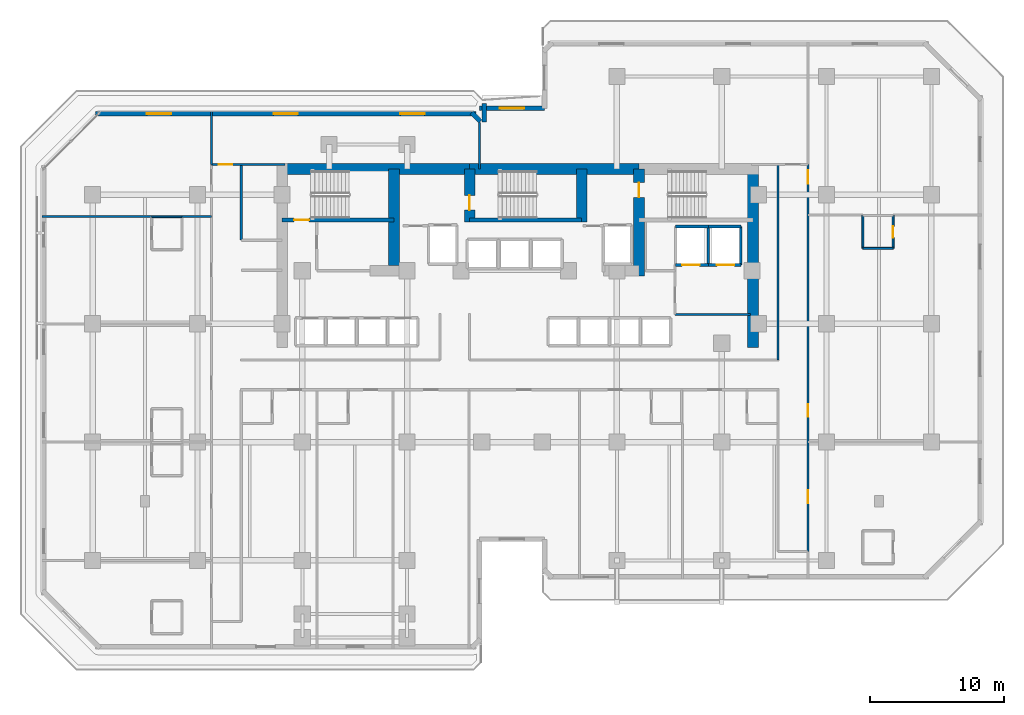
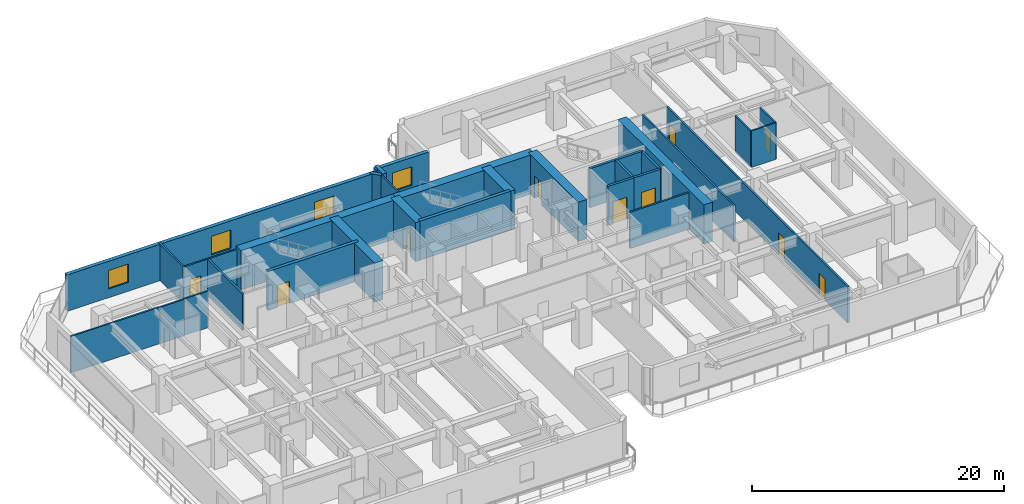
# One storey, part 9 of 12: 32 walls, 10 doors, 4 windows, 14 openings.
"""IFC4 building model written with IfcOpenShell, lengths in metres."""

from ifc_helpers import new_model, si_unit, direction, frame, frame_2d, origin, place, context, subcontext, project, spatial, rectangle, extrude, material, layer, layer_set, type_object, element, fill, save


model = new_model("IFC4")

# Units and contexts
model_context = context("Model", 3, precision=1e-05, world=origin(), true_north=direction((0.0, 1.0)))
body_context = subcontext(model_context, "Body", "Model", "MODEL_VIEW")
ifc_project = project(units=[si_unit("LENGTHUNIT", "METRE"), si_unit("AREAUNIT", "SQUARE_METRE"), si_unit("VOLUMEUNIT", "CUBIC_METRE"), si_unit("PLANEANGLEUNIT", "RADIAN"), si_unit("MASSUNIT", "GRAM", prefix="KILO")], contexts=[model_context])

# Site, building, storey
site_placement = place(None, origin())
site = spatial("IfcSite", under=ifc_project, at=site_placement, CompositionType="ELEMENT")
building_placement = place(site_placement, origin())
building = spatial("IfcBuilding", under=site, at=building_placement, Name="Kestravale Grand Hotel", CompositionType="ELEMENT")
storey_placement = place(building_placement, frame((0.0, 0.0, 80.39990234375)))
storey = spatial("IfcBuildingStorey", under=building, at=storey_placement, Name="L19", CompositionType="ELEMENT", Elevation=80.39990234375)

# Walls
ifc_material_1 = material(Name="Concrete f'c 60 MPa", Category="concrete")
ifc_layer_1 = layer(ifc_material_1, 0.800048828125)
ifc_layer_set_1 = layer_set([ifc_layer_1], Name="EW-CORE-800")
wall_type_1 = type_object("IfcWallType", Name="EW-CORE-800", PredefinedType="SHEAR", material=ifc_layer_set_1)
wall_1_placement = place(storey_placement, frame((21.5, 40.320068359375, 0.0), z_axis=(0.0, 0.0, 1.0), x_axis=(1.0, 0.0, 0.0)))
element("IfcWall", 1, at=wall_1_placement, inside=storey, type_object=wall_type_1, Name="L19 core shear wall N1", PredefinedType="SHEAR", context=body_context, shape_type="SweptSolid", body=[
    extrude(rectangle(XDim=14.35009765625, YDim=0.800048828125, at=frame_2d((7.175048828125, 0.0))), origin(), (0.0, 0.0, 1.0), 3.800048828125),
])
wall_2_placement = place(storey_placement, frame((35.85009765625, 40.320068359375, 0.0), z_axis=(0.0, 0.0, 1.0), x_axis=(1.0, 0.0, 0.0)))
element("IfcWall", 2, at=wall_2_placement, inside=storey, type_object=wall_type_1, Name="L19 core shear wall N2", PredefinedType="SHEAR", context=body_context, shape_type="SweptSolid", body=[
    extrude(rectangle(XDim=12.599853515625, YDim=0.800048828125, at=frame_2d((6.2998046875, 0.0))), origin(), (0.0, 0.0, 1.0), 3.800048828125),
])
wall_3_placement = place(storey_placement, frame((56.919921875, 27.050048828125, 0.0), z_axis=(0.0, 0.0, 1.0), x_axis=(0.0, 1.0, 0.0)))
element("IfcWall", 3, at=wall_3_placement, inside=storey, type_object=wall_type_1, Name="L19 core shear wall E1", PredefinedType="SHEAR", context=body_context, shape_type="SweptSolid", body=[
    extrude(rectangle(XDim=13.669921875, YDim=0.800048828125, at=frame_2d((6.8349609375, 0.0))), origin(), (0.0, 0.0, 1.0), 3.800048828125),
])
wall_4_placement = place(storey_placement, frame((30.219970703125, 33.14990234375, 0.0), z_axis=(0.0, 0.0, 1.0), x_axis=(0.0, 1.0, 0.0)))
element("IfcWall", 4, at=wall_4_placement, inside=storey, type_object=wall_type_1, Name="L19 core shear wall X1", PredefinedType="SHEAR", context=body_context, shape_type="SweptSolid", body=[
    extrude(rectangle(XDim=7.170166015625, YDim=0.800048828125, at=frame_2d((3.5849609375, 0.0))), origin(), (0.0, 0.0, 1.0), 3.800048828125),
])

# Wall, opening, door
wall_5_placement = place(storey_placement, frame((35.85009765625, 36.3701171875, 0.0), z_axis=(0.0, 0.0, 1.0), x_axis=(0.0, 1.0, 0.0)))
wall_5 = element("IfcWall", 5, at=wall_5_placement, inside=storey, type_object=wall_type_1, Name="L19 core shear wall X2", PredefinedType="SHEAR", context=body_context, shape_type="SweptSolid", body=[
    extrude(rectangle(XDim=3.949951171875, YDim=0.800048828125, at=frame_2d((1.97509765625, 0.0))), origin(), (0.0, 0.0, 1.0), 3.800048828125),
])
opening_1_placement = place(wall_5_placement, frame((0.8798828125, 0.0, 0.0)))
opening_1 = element("IfcOpeningElement", 6, at=opening_1_placement, cuts=wall_5, Name="Opening D-ST-1100", PredefinedType="OPENING", context=body_context, shape_type="SweptSolid", body=[
    extrude(rectangle(XDim=1.10009765625, YDim=2.14990234375, at=frame_2d((0.550048828125, 1.074951171875))), frame((0.0, 0.409912109375, 0.0), z_axis=(0.0, -1.0, 0.0), x_axis=(1.0, 0.0, 0.0)), (0.0, 0.0, 1.0), 0.820068359375),
])
ifc_material_2 = material(Name="Galvanised 90-minute fire-rated steel stair door", Category="steel")
door_type_1 = type_object("IfcDoorType", Name="D-ST-1100", OperationType="NOTDEFINED", PredefinedType="DOOR", material=ifc_material_2)
door_1_placement = place(opening_1_placement, origin())
door_1 = element("IfcDoor", 7, at=door_1_placement, inside=storey, type_object=door_type_1, Name="L19 Stair ST-2 FSAE fire door", OperationType="SINGLE_SWING_RIGHT", OverallHeight=2.14990234375, OverallWidth=1.10009765625, PredefinedType="DOOR", context=body_context, shape_type="SweptSolid", body=[
    extrude(rectangle(XDim=1.10009765625, YDim=2.14990234375, at=frame_2d((0.550048828125, 1.074951171875))), frame((0.0, 0.02490234375, 0.0), z_axis=(0.0, -1.0, 0.0), x_axis=(1.0, 0.0, 0.0)), (0.0, 0.0, 1.0), 0.050048828125),
])
fill(opening_1, door_1)

# Wall
wall_6_placement = place(storey_placement, frame((44.179931640625, 36.3701171875, 0.0), z_axis=(0.0, 0.0, 1.0), x_axis=(0.0, 1.0, 0.0)))
element("IfcWall", 8, at=wall_6_placement, inside=storey, type_object=wall_type_1, Name="L19 core shear wall X3", PredefinedType="SHEAR", context=body_context, shape_type="SweptSolid", body=[
    extrude(rectangle(XDim=3.949951171875, YDim=0.800048828125, at=frame_2d((1.97509765625, 0.0))), origin(), (0.0, 0.0, 1.0), 3.800048828125),
])

# Wall, opening, door
wall_7_placement = place(storey_placement, frame((48.449951171875, 32.35009765625, 0.0), z_axis=(0.0, 0.0, 1.0), x_axis=(0.0, 1.0, 0.0)))
wall_7 = element("IfcWall", 9, at=wall_7_placement, inside=storey, type_object=wall_type_1, Name="L19 core shear wall X4", PredefinedType="SHEAR", context=body_context, shape_type="SweptSolid", body=[
    extrude(rectangle(XDim=7.969970703125, YDim=0.800048828125, at=frame_2d((3.98486328125, 0.0))), origin(), (0.0, 0.0, 1.0), 3.800048828125),
])
opening_2_placement = place(wall_7_placement, frame((5.85009765625, 0.0, 0.0)))
opening_2 = element("IfcOpeningElement", 10, at=opening_2_placement, cuts=wall_7, Name="Opening D-ST-1100", PredefinedType="OPENING", context=body_context, shape_type="SweptSolid", body=[
    extrude(rectangle(XDim=1.10009765625, YDim=2.14990234375, at=frame_2d((0.550048828125, 1.074951171875))), frame((0.0, 0.409912109375, 0.0), z_axis=(0.0, -1.0, 0.0), x_axis=(1.0, 0.0, 0.0)), (0.0, 0.0, 1.0), 0.820068359375),
])
door_2_placement = place(opening_2_placement, origin())
door_2 = element("IfcDoor", 11, at=door_2_placement, inside=storey, type_object=door_type_1, Name="L19 Stair ST-3 FSAE fire door", OperationType="SINGLE_SWING_RIGHT", OverallHeight=2.14990234375, OverallWidth=1.10009765625, PredefinedType="DOOR", context=body_context, shape_type="SweptSolid", body=[
    extrude(rectangle(XDim=1.10009765625, YDim=2.14990234375, at=frame_2d((0.550048828125, 1.074951171875))), frame((0.0, 0.02490234375, 0.0), z_axis=(0.0, -1.0, 0.0), x_axis=(1.0, 0.0, 0.0)), (0.0, 0.0, 1.0), 0.050048828125),
])
fill(opening_2, door_2)

# Wall, opening, window
ifc_material_3 = material(Name="Precast concrete f'c 45 MPa", Category="concrete")
ifc_layer_2 = layer(ifc_material_3, 0.340087890625)
ifc_layer_set_2 = layer_set([ifc_layer_2], Name="EW-PREC-340")
wall_type_2 = type_object("IfcWallType", Name="EW-PREC-340", PredefinedType="SOLIDWALL", material=ifc_layer_set_2)
wall_8_placement = place(storey_placement, frame((41.419921875, 44.830078125, 0.0), z_axis=(0.0, 0.0, 1.0), x_axis=(-1.0, 0.0, 0.0)))
wall_8 = element("IfcWall", 12, at=wall_8_placement, inside=storey, type_object=wall_type_2, Name="L19 fluted precast facade wall 14", PredefinedType="SOLIDWALL", context=body_context, shape_type="SweptSolid", body=[
    extrude(rectangle(XDim=4.83984375, YDim=0.340087890625, at=frame_2d((2.419921875, 0.0))), origin(), (0.0, 0.0, 1.0), 3.5400390625),
])
opening_3_placement = place(wall_8_placement, frame((1.52001953125, 0.0, 0.85009765625)))
opening_3 = element("IfcOpeningElement", 13, at=opening_3_placement, cuts=wall_8, Name="Opening W-GUEST-1800", PredefinedType="OPENING", context=body_context, shape_type="SweptSolid", body=[
    extrude(rectangle(XDim=1.800048828125, YDim=1.800048828125, at=frame_2d((0.89990234375, 0.89990234375))), frame((0.0, 0.179931640625, 0.0), z_axis=(0.0, -1.0, 0.0), x_axis=(1.0, 0.0, 0.0)), (0.0, 0.0, 1.0), 0.360107421875),
])
ifc_material_4 = material(Name="Insulated low-E double glazing in aluminium frame", Category="aluminium")
window_type = type_object("IfcWindowType", Name="W-GUEST-1800", PartitioningType="DOUBLE_PANEL_VERTICAL", PredefinedType="WINDOW", material=ifc_material_4)
window_1_placement = place(opening_3_placement, origin())
window_1 = element("IfcWindow", 14, at=window_1_placement, inside=storey, type_object=window_type, Name="L19 exterior window 14.1", OverallHeight=1.800048828125, OverallWidth=1.800048828125, PartitioningType="SINGLE_PANEL", PredefinedType="WINDOW", context=body_context, shape_type="SweptSolid", body=[
    extrude(rectangle(XDim=1.800048828125, YDim=1.800048828125, at=frame_2d((0.89990234375, 0.89990234375))), frame((0.0, 0.030029296875, 0.0), z_axis=(0.0, -1.0, 0.0), x_axis=(1.0, 0.0, 0.0)), (0.0, 0.0, 1.0), 0.06005859375),
])
fill(opening_3, window_1)

# Walls
wall_9_placement = place(storey_placement, frame((36.919921875, 45.169921875, 0.0), z_axis=(0.0, 0.0, 1.0), x_axis=(0.0, -1.0, 0.0)))
element("IfcWall", 15, at=wall_9_placement, inside=storey, type_object=wall_type_2, Name="L19 fluted precast facade wall 15", PredefinedType="SOLIDWALL", context=body_context, shape_type="SweptSolid", body=[
    extrude(rectangle(XDim=1.33984375, YDim=0.340087890625, at=frame_2d((0.669921875, 0.0))), origin(), (0.0, 0.0, 1.0), 3.5400390625),
])
wall_10_placement = place(storey_placement, frame((36.658203125, 43.8515625, 0.0), z_axis=(0.0, 0.0, 1.0), x_axis=(-0.707238225886, 0.706975312048, 0.0)))
element("IfcWall", 16, at=wall_10_placement, inside=storey, type_object=wall_type_2, Name="L19 fluted precast facade wall 16", PredefinedType="SOLIDWALL", context=body_context, shape_type="SweptSolid", body=[
    extrude(rectangle(XDim=0.9287109375, YDim=0.340087890625, at=frame_2d((0.46435546875, 0.0))), origin(), (0.0, 0.0, 1.0), 3.5400390625),
])

# Wall, openings, windows
wall_11_placement = place(storey_placement, frame((36.320068359375, 44.429931640625, 0.0), z_axis=(0.0, 0.0, 1.0), x_axis=(-1.0, 0.0, 0.0)))
wall_11 = element("IfcWall", 17, at=wall_11_placement, inside=storey, type_object=wall_type_2, Name="L19 fluted precast facade wall 17", PredefinedType="SOLIDWALL", context=body_context, shape_type="SweptSolid", body=[
    extrude(rectangle(XDim=28.2900390625, YDim=0.340087890625, at=frame_2d((14.14501953125, 0.0))), origin(), (0.0, 0.0, 1.0), 3.5400390625),
])
opening_4_placement = place(wall_11_placement, frame((3.81494140625, 0.0, 0.85009765625)))
opening_4 = element("IfcOpeningElement", 18, at=opening_4_placement, cuts=wall_11, Name="Opening W-GUEST-1800", PredefinedType="OPENING", context=body_context, shape_type="SweptSolid", body=[
    extrude(rectangle(XDim=1.800048828125, YDim=1.800048828125, at=frame_2d((0.89990234375, 0.89990234375))), frame((0.0, 0.179931640625, 0.0), z_axis=(0.0, -1.0, 0.0), x_axis=(1.0, 0.0, 0.0)), (0.0, 0.0, 1.0), 0.360107421875),
])
opening_5_placement = place(wall_11_placement, frame((13.2451171875, 0.0, 0.85009765625)))
opening_5 = element("IfcOpeningElement", 19, at=opening_5_placement, cuts=wall_11, Name="Opening W-GUEST-1800", PredefinedType="OPENING", context=body_context, shape_type="SweptSolid", body=[
    extrude(rectangle(XDim=1.800048828125, YDim=1.800048828125, at=frame_2d((0.89990234375, 0.89990234375))), frame((0.0, 0.179931640625, 0.0), z_axis=(0.0, -1.0, 0.0), x_axis=(1.0, 0.0, 0.0)), (0.0, 0.0, 1.0), 0.360107421875),
])
opening_6_placement = place(wall_11_placement, frame((22.675048828125, 0.0, 0.85009765625)))
opening_6 = element("IfcOpeningElement", 20, at=opening_6_placement, cuts=wall_11, Name="Opening W-GUEST-1800", PredefinedType="OPENING", context=body_context, shape_type="SweptSolid", body=[
    extrude(rectangle(XDim=1.800048828125, YDim=1.800048828125, at=frame_2d((0.89990234375, 0.89990234375))), frame((0.0, 0.179931640625, 0.0), z_axis=(0.0, -1.0, 0.0), x_axis=(1.0, 0.0, 0.0)), (0.0, 0.0, 1.0), 0.360107421875),
])
window_2_placement = place(opening_4_placement, origin())
window_2 = element("IfcWindow", 21, at=window_2_placement, inside=storey, type_object=window_type, Name="L19 exterior window 17.1", OverallHeight=1.800048828125, OverallWidth=1.800048828125, PartitioningType="SINGLE_PANEL", PredefinedType="WINDOW", context=body_context, shape_type="SweptSolid", body=[
    extrude(rectangle(XDim=1.800048828125, YDim=1.800048828125, at=frame_2d((0.89990234375, 0.89990234375))), frame((0.0, 0.030029296875, 0.0), z_axis=(0.0, -1.0, 0.0), x_axis=(1.0, 0.0, 0.0)), (0.0, 0.0, 1.0), 0.06005859375),
])
fill(opening_4, window_2)
window_3_placement = place(opening_5_placement, origin())
window_3 = element("IfcWindow", 22, at=window_3_placement, inside=storey, type_object=window_type, Name="L19 exterior window 17.2", OverallHeight=1.800048828125, OverallWidth=1.800048828125, PartitioningType="SINGLE_PANEL", PredefinedType="WINDOW", context=body_context, shape_type="SweptSolid", body=[
    extrude(rectangle(XDim=1.800048828125, YDim=1.800048828125, at=frame_2d((0.89990234375, 0.89990234375))), frame((0.0, 0.030029296875, 0.0), z_axis=(0.0, -1.0, 0.0), x_axis=(1.0, 0.0, 0.0)), (0.0, 0.0, 1.0), 0.06005859375),
])
fill(opening_5, window_3)
window_4_placement = place(opening_6_placement, origin())
window_4 = element("IfcWindow", 23, at=window_4_placement, inside=storey, type_object=window_type, Name="L19 exterior window 17.3", OverallHeight=1.800048828125, OverallWidth=1.800048828125, PartitioningType="SINGLE_PANEL", PredefinedType="WINDOW", context=body_context, shape_type="SweptSolid", body=[
    extrude(rectangle(XDim=1.800048828125, YDim=1.800048828125, at=frame_2d((0.89990234375, 0.89990234375))), frame((0.0, 0.030029296875, 0.0), z_axis=(0.0, -1.0, 0.0), x_axis=(1.0, 0.0, 0.0)), (0.0, 0.0, 1.0), 0.06005859375),
])
fill(opening_6, window_4)

# Wall, opening, door
ifc_material_5 = material(Name="Concrete f'c 45 MPa", Category="concrete")
ifc_layer_3 = layer(ifc_material_5, 0.300048828125)
ifc_layer_set_3 = layer_set([ifc_layer_3], Name="EW-STAIR-300")
wall_type_3 = type_object("IfcWallType", Name="EW-STAIR-300", PredefinedType="SHEAR", material=ifc_layer_set_3)
wall_12_placement = place(storey_placement, frame((21.89990234375, 36.52001953125, 0.0), z_axis=(0.0, 0.0, 1.0), x_axis=(1.0, 0.0, 0.0)))
wall_12 = element("IfcWall", 24, at=wall_12_placement, inside=storey, type_object=wall_type_3, Name="L19 stair enclosure shear wall SST1", PredefinedType="SHEAR", context=body_context, shape_type="SweptSolid", body=[
    extrude(rectangle(XDim=8.320068359375, YDim=0.300048828125, at=frame_2d((4.16015625, 0.0))), origin(), (0.0, 0.0, 1.0), 3.800048828125),
])
opening_7_placement = place(wall_12_placement, frame((0.89990234375, 0.0, 0.0)))
opening_7 = element("IfcOpeningElement", 25, at=opening_7_placement, cuts=wall_12, Name="Opening D-ST-1100", PredefinedType="OPENING", context=body_context, shape_type="SweptSolid", body=[
    extrude(rectangle(XDim=1.10009765625, YDim=2.14990234375, at=frame_2d((0.550048828125, 1.074951171875))), frame((0.0, 0.159912109375, 0.0), z_axis=(0.0, -1.0, 0.0), x_axis=(1.0, 0.0, 0.0)), (0.0, 0.0, 1.0), 0.320068359375),
])
door_3_placement = place(opening_7_placement, origin())
door_3 = element("IfcDoor", 26, at=door_3_placement, inside=storey, type_object=door_type_1, Name="L19 Stair ST-1 fire door", OperationType="SINGLE_SWING_RIGHT", OverallHeight=2.14990234375, OverallWidth=1.10009765625, PredefinedType="DOOR", context=body_context, shape_type="SweptSolid", body=[
    extrude(rectangle(XDim=1.10009765625, YDim=2.14990234375, at=frame_2d((0.550048828125, 1.074951171875))), frame((0.0, 0.02490234375, 0.0), z_axis=(0.0, -1.0, 0.0), x_axis=(1.0, 0.0, 0.0)), (0.0, 0.0, 1.0), 0.050048828125),
])
fill(opening_7, door_3)

# Walls
wall_13_placement = place(storey_placement, frame((35.85009765625, 36.52001953125, 0.0), z_axis=(0.0, 0.0, 1.0), x_axis=(1.0, 0.0, 0.0)))
element("IfcWall", 27, at=wall_13_placement, inside=storey, type_object=wall_type_3, Name="L19 stair enclosure shear wall SST2", PredefinedType="SHEAR", context=body_context, shape_type="SweptSolid", body=[
    extrude(rectangle(XDim=8.329833984375, YDim=0.300048828125, at=frame_2d((4.1650390625, 0.0))), origin(), (0.0, 0.0, 1.0), 3.800048828125),
])
ifc_material_6 = material(Name="Acoustic fire-rated gypsum board partition", Category="other")
ifc_layer_4 = layer(ifc_material_6, 0.159912109375)
ifc_layer_set_4 = layer_set([ifc_layer_4], Name="IW-CORR-160")
wall_type_4 = type_object("IfcWallType", Name="IW-CORR-160", PredefinedType="PARTITIONING", material=ifc_layer_set_4)
for number, where, z_axis, x_axis, name in (
    (28, (51.1201171875, 29.5, 0.0), (0.0, 0.0, 1.0), (1.0, 0.0, 0.0), "L19 service lift lobby wall"),
    (29, (18.860107421875, 35.02001953125, 0.0), (0.0, 0.0, 1.0), (0.0, 1.0, 0.0), "W-L19-SW-EN"),
):
    element("IfcWall", number, at=place(storey_placement, frame(where, z_axis=z_axis, x_axis=x_axis)), inside=storey, type_object=wall_type_4, Name=name, PredefinedType="PARTITIONING", context=body_context, shape_type="SweptSolid", body=[
        extrude(rectangle(XDim=5.6298828125, YDim=0.159912109375, at=frame_2d((2.81494140625, 0.0))), origin(), (0.0, 0.0, 1.0), 3.5400390625),
    ])

# Wall, openings, doors
wall_14_placement = place(storey_placement, frame((61.010009765625, 11.85009765625, 0.0), z_axis=(0.0, 0.0, 1.0), x_axis=(0.0, 1.0, 0.0)))
wall_14 = element("IfcWall", 30, at=wall_14_placement, inside=storey, type_object=wall_type_4, Name="W-L19-SE-E", PredefinedType="PARTITIONING", context=body_context, shape_type="SweptSolid", body=[
    extrude(rectangle(XDim=28.7998046875, YDim=0.159912109375, at=frame_2d((14.39990234375, 0.0))), origin(), (0.0, 0.0, 1.0), 3.5400390625),
])
opening_8_placement = place(wall_14_placement, frame((3.60009765625, 0.0, 0.0)))
opening_8 = element("IfcOpeningElement", 31, at=opening_8_placement, cuts=wall_14, Name="Opening D-GUEST-950", PredefinedType="OPENING", context=body_context, shape_type="SweptSolid", body=[
    extrude(rectangle(XDim=0.949951171875, YDim=2.10009765625, at=frame_2d((0.47509765625, 1.050048828125))), frame((0.0, 0.08984375, 0.0), z_axis=(0.0, -1.0, 0.0), x_axis=(1.0, 0.0, 0.0)), (0.0, 0.0, 1.0), 0.179931640625),
])
opening_9_placement = place(wall_14_placement, frame((10.01904296875, 0.0, 0.0)))
opening_9 = element("IfcOpeningElement", 32, at=opening_9_placement, cuts=wall_14, Name="Opening D-GUEST-950", PredefinedType="OPENING", context=body_context, shape_type="SweptSolid", body=[
    extrude(rectangle(XDim=0.949951171875, YDim=2.10009765625, at=frame_2d((0.47509765625, 1.050048828125))), frame((0.0, 0.08984375, 0.0), z_axis=(0.0, -1.0, 0.0), x_axis=(1.0, 0.0, 0.0)), (0.0, 0.0, 1.0), 0.179931640625),
])
opening_10_placement = place(wall_14_placement, frame((27.360107421875, 0.0, 0.0)))
opening_10 = element("IfcOpeningElement", 33, at=opening_10_placement, cuts=wall_14, Name="Opening D-GUEST-1000", PredefinedType="OPENING", context=body_context, shape_type="SweptSolid", body=[
    extrude(rectangle(XDim=1.0, YDim=2.14990234375, at=frame_2d((0.5, 1.074951171875))), frame((0.0, 0.08984375, 0.0), z_axis=(0.0, -1.0, 0.0), x_axis=(1.0, 0.0, 0.0)), (0.0, 0.0, 1.0), 0.179931640625),
])
ifc_material_7 = material(Name="Accessible walnut veneer hotel entrance fire door", Category="wood")
door_type_2 = type_object("IfcDoorType", Name="D-GUEST-1000", OperationType="NOTDEFINED", PredefinedType="DOOR", material=ifc_material_7)
door_4_placement = place(opening_10_placement, origin())
door_4 = element("IfcDoor", 34, at=door_4_placement, inside=storey, type_object=door_type_2, Name="D-L19-AMEW", OperationType="SINGLE_SWING_LEFT", OverallHeight=2.14990234375, OverallWidth=1.0, PredefinedType="DOOR", context=body_context, shape_type="SweptSolid", body=[
    extrude(rectangle(XDim=1.0, YDim=2.14990234375, at=frame_2d((0.5, 1.074951171875))), frame((0.0, 0.02490234375, 0.0), z_axis=(0.0, -1.0, 0.0), x_axis=(1.0, 0.0, 0.0)), (0.0, 0.0, 1.0), 0.050048828125),
])
fill(opening_10, door_4)
ifc_material_8 = material(Name="Walnut veneer hotel guestroom entrance fire door", Category="wood")
door_type_3 = type_object("IfcDoorType", Name="D-GUEST-950", OperationType="NOTDEFINED", PredefinedType="DOOR", material=ifc_material_8)
door_5_placement = place(opening_8_placement, origin())
door_5 = element("IfcDoor", 35, at=door_5_placement, inside=storey, type_object=door_type_3, Name="D-L19-U09-ENT", OperationType="SINGLE_SWING_RIGHT", OverallHeight=2.10009765625, OverallWidth=0.949951171875, PredefinedType="DOOR", context=body_context, shape_type="SweptSolid", body=[
    extrude(rectangle(XDim=0.949951171875, YDim=2.10009765625, at=frame_2d((0.47509765625, 1.050048828125))), frame((0.0, 0.02490234375, 0.0), z_axis=(0.0, -1.0, 0.0), x_axis=(1.0, 0.0, 0.0)), (0.0, 0.0, 1.0), 0.050048828125),
])
fill(opening_8, door_5)
door_6_placement = place(opening_9_placement, origin())
door_6 = element("IfcDoor", 36, at=door_6_placement, inside=storey, type_object=door_type_3, Name="D-L19-U10-ENT", OperationType="SINGLE_SWING_RIGHT", OverallHeight=2.10009765625, OverallWidth=0.949951171875, PredefinedType="DOOR", context=body_context, shape_type="SweptSolid", body=[
    extrude(rectangle(XDim=0.949951171875, YDim=2.10009765625, at=frame_2d((0.47509765625, 1.050048828125))), frame((0.0, 0.02490234375, 0.0), z_axis=(0.0, -1.0, 0.0), x_axis=(1.0, 0.0, 0.0)), (0.0, 0.0, 1.0), 0.050048828125),
])
fill(opening_9, door_6)

# Walls
wall_15_placement = place(storey_placement, frame((58.7900390625, 26.110107421875, 0.0), z_axis=(0.0, 0.0, 1.0), x_axis=(0.0, 1.0, 0.0)))
element("IfcWall", 37, at=wall_15_placement, inside=storey, type_object=wall_type_4, Name="W-L19-SE-WU", PredefinedType="PARTITIONING", context=body_context, shape_type="SweptSolid", body=[
    extrude(rectangle(XDim=14.539794921875, YDim=0.159912109375, at=frame_2d((7.27001953125, 0.0))), origin(), (0.0, 0.0, 1.0), 3.5400390625),
])
ifc_material_9 = material(Name="Moisture-resistant tile-backer plumbing chase wall", Category="other")
ifc_layer_5 = layer(ifc_material_9, 0.139892578125)
ifc_layer_set_5 = layer_set([ifc_layer_5], Name="IW-PLB-140")
wall_type_5 = type_object("IfcWallType", Name="IW-PLB-140", PredefinedType="PLUMBINGWALL", material=ifc_layer_set_5)
wall_16_placement = place(storey_placement, frame((12.199951171875, 36.760009765625, 0.0), z_axis=(0.0, 0.0, 1.0), x_axis=(1.0, 0.0, 0.0)))
element("IfcWall", 38, at=wall_16_placement, inside=storey, type_object=wall_type_5, Name="W-L19-U08-BN", PredefinedType="PLUMBINGWALL", context=body_context, shape_type="SweptSolid", body=[
    extrude(rectangle(XDim=2.25, YDim=0.139892578125, at=frame_2d((1.125, 0.0))), origin(), (0.0, 0.0, 1.0), 3.5400390625),
])
wall_17_placement = place(storey_placement, frame((65.10009765625, 34.409912109375, 0.0), z_axis=(0.0, 0.0, 1.0), x_axis=(0.0, 1.0, 0.0)))
element("IfcWall", 39, at=wall_17_placement, inside=storey, type_object=wall_type_5, Name="W-L19-U10-BW", PredefinedType="PLUMBINGWALL", context=body_context, shape_type="SweptSolid", body=[
    extrude(rectangle(XDim=2.4501953125, YDim=0.139892578125, at=frame_2d((1.22509765625, 0.0))), origin(), (0.0, 0.0, 1.0), 3.5400390625),
])

# Wall, opening, door
wall_18_placement = place(storey_placement, frame((67.35009765625, 34.409912109375, 0.0), z_axis=(0.0, 0.0, 1.0), x_axis=(0.0, 1.0, 0.0)))
wall_18 = element("IfcWall", 40, at=wall_18_placement, inside=storey, type_object=wall_type_5, Name="W-L19-U10-BE", PredefinedType="PLUMBINGWALL", context=body_context, shape_type="SweptSolid", body=[
    extrude(rectangle(XDim=2.4501953125, YDim=0.139892578125, at=frame_2d((1.22509765625, 0.0))), origin(), (0.0, 0.0, 1.0), 3.5400390625),
])
opening_11_placement = place(wall_18_placement, frame((0.784912109375, 0.0, 0.0)))
opening_11 = element("IfcOpeningElement", 41, at=opening_11_placement, cuts=wall_18, Name="Opening D-BATH-880", PredefinedType="OPENING", context=body_context, shape_type="SweptSolid", body=[
    extrude(rectangle(XDim=0.8798828125, YDim=2.050048828125, at=frame_2d((0.43994140625, 1.02490234375))), frame((0.0, 0.079833984375, 0.0), z_axis=(0.0, -1.0, 0.0), x_axis=(1.0, 0.0, 0.0)), (0.0, 0.0, 1.0), 0.159912109375),
])
ifc_material_10 = material(Name="Moisture-sealed walnut en-suite bathroom door", Category="wood")
door_type_4 = type_object("IfcDoorType", Name="D-BATH-880", OperationType="NOTDEFINED", PredefinedType="DOOR", material=ifc_material_10)
door_7_placement = place(opening_11_placement, origin())
door_7 = element("IfcDoor", 42, at=door_7_placement, inside=storey, type_object=door_type_4, Name="D-L19-U10-BATH", OperationType="SINGLE_SWING_LEFT", OverallHeight=2.050048828125, OverallWidth=0.8798828125, PredefinedType="DOOR", context=body_context, shape_type="SweptSolid", body=[
    extrude(rectangle(XDim=0.8798828125, YDim=2.050048828125, at=frame_2d((0.43994140625, 1.02490234375))), frame((0.0, 0.02490234375, 0.0), z_axis=(0.0, -1.0, 0.0), x_axis=(1.0, 0.0, 0.0)), (0.0, 0.0, 1.0), 0.050048828125),
])
fill(opening_11, door_7)

# Walls
wall_19_placement = place(storey_placement, frame((65.10009765625, 34.409912109375, 0.0), z_axis=(0.0, 0.0, 1.0), x_axis=(1.0, 0.0, 0.0)))
element("IfcWall", 43, at=wall_19_placement, inside=storey, type_object=wall_type_5, Name="W-L19-U10-BS", PredefinedType="PLUMBINGWALL", context=body_context, shape_type="SweptSolid", body=[
    extrude(rectangle(XDim=2.25, YDim=0.139892578125, at=frame_2d((1.125, 0.0))), origin(), (0.0, 0.0, 1.0), 3.5400390625),
])
ifc_material_11 = material(Name="Concrete f'c 45 MPa", Category="concrete")
ifc_layer_6 = layer(ifc_material_11, 0.199951171875)
ifc_layer_set_6 = layer_set([ifc_layer_6], Name="IW-SHAFT-200")
wall_type_6 = type_object("IfcWallType", Name="IW-SHAFT-200", PredefinedType="SHEAR", material=ifc_layer_set_6)
for number, where, z_axis, x_axis, name in (
    (44, (53.60009765625, 33.169921875, 0.0), (0.0, 0.0, 1.0), (0.0, 1.0, 0.0), "L19 SL-2 west shaft wall"),
    (45, (56.02001953125, 33.169921875, 0.0), (0.0, 0.0, 1.0), (0.0, 1.0, 0.0), "L19 SL-2 east shaft wall"),
):
    element("IfcWall", number, at=place(storey_placement, frame(where, z_axis=z_axis, x_axis=x_axis)), inside=storey, type_object=wall_type_6, Name=name, PredefinedType="SHEAR", context=body_context, shape_type="SweptSolid", body=[
        extrude(rectangle(XDim=2.860107421875, YDim=0.199951171875, at=frame_2d((1.43017578125, 0.0))), origin(), (0.0, 0.0, 1.0), 3.800048828125),
    ])
ifc_material_12 = material(Name="Concrete f'c 45 MPa", Category="concrete")
ifc_layer_7 = layer(ifc_material_12, 0.219970703125)
ifc_layer_set_7 = layer_set([ifc_layer_7], Name="IW-SHAFT-220")
wall_type_7 = type_object("IfcWallType", Name="IW-SHAFT-220", PredefinedType="SHEAR", material=ifc_layer_set_7)
wall_20_placement = place(storey_placement, frame((51.179931640625, 36.030029296875, 0.0), z_axis=(0.0, 0.0, 1.0), x_axis=(1.0, 0.0, 0.0)))
element("IfcWall", 46, at=wall_20_placement, inside=storey, type_object=wall_type_7, Name="L19 SL-1 north shaft wall", PredefinedType="SHEAR", context=body_context, shape_type="SweptSolid", body=[
    extrude(rectangle(XDim=2.420166015625, YDim=0.219970703125, at=frame_2d((1.2099609375, 0.0))), origin(), (0.0, 0.0, 1.0), 3.800048828125),
])

# Wall, opening, door
wall_21_placement = place(storey_placement, frame((51.179931640625, 33.169921875, 0.0), z_axis=(0.0, 0.0, 1.0), x_axis=(1.0, 0.0, 0.0)))
wall_21 = element("IfcWall", 47, at=wall_21_placement, inside=storey, type_object=wall_type_7, Name="L19 SL-1 south shaft wall", PredefinedType="SHEAR", context=body_context, shape_type="SweptSolid", body=[
    extrude(rectangle(XDim=2.420166015625, YDim=0.219970703125, at=frame_2d((1.2099609375, 0.0))), origin(), (0.0, 0.0, 1.0), 3.800048828125),
])
opening_12_placement = place(wall_21_placement, frame((0.469970703125, 0.0, 0.0)))
opening_12 = element("IfcOpeningElement", 48, at=opening_12_placement, cuts=wall_21, Name="Opening LD-SVC-1300", PredefinedType="OPENING", context=body_context, shape_type="SweptSolid", body=[
    extrude(rectangle(XDim=1.300048828125, YDim=2.14990234375, at=frame_2d((0.64990234375, 1.074951171875))), frame((0.0, 0.119873046875, 0.0), z_axis=(0.0, -1.0, 0.0), x_axis=(1.0, 0.0, 0.0)), (0.0, 0.0, 1.0), 0.239990234375),
])
ifc_material_13 = material(Name="Heavy-duty service sliding elevator landing door", Category="steel")
door_type_5 = type_object("IfcDoorType", Name="LD-SVC-1300", OperationType="NOTDEFINED", PredefinedType="DOOR", material=ifc_material_13)
door_8_placement = place(opening_12_placement, origin())
door_8 = element("IfcDoor", 49, at=door_8_placement, inside=storey, type_object=door_type_5, Name="L19 SL-1 elevator landing sliding door", OperationType="DOUBLE_DOOR_SLIDING", OverallHeight=2.14990234375, OverallWidth=1.300048828125, PredefinedType="DOOR", context=body_context, shape_type="SweptSolid", body=[
    extrude(rectangle(XDim=1.300048828125, YDim=2.14990234375, at=frame_2d((0.64990234375, 1.074951171875))), frame((0.0, 0.02490234375, 0.0), z_axis=(0.0, -1.0, 0.0), x_axis=(1.0, 0.0, 0.0)), (0.0, 0.0, 1.0), 0.050048828125),
])
fill(opening_12, door_8)

# Wall
wall_22_placement = place(storey_placement, frame((53.60009765625, 36.030029296875, 0.0), z_axis=(0.0, 0.0, 1.0), x_axis=(1.0, 0.0, 0.0)))
element("IfcWall", 50, at=wall_22_placement, inside=storey, type_object=wall_type_7, Name="L19 SL-2 north shaft wall", PredefinedType="SHEAR", context=body_context, shape_type="SweptSolid", body=[
    extrude(rectangle(XDim=2.419921875, YDim=0.219970703125, at=frame_2d((1.2099609375, 0.0))), origin(), (0.0, 0.0, 1.0), 3.800048828125),
])

# Wall, opening, door
wall_23_placement = place(storey_placement, frame((53.60009765625, 33.169921875, 0.0), z_axis=(0.0, 0.0, 1.0), x_axis=(1.0, 0.0, 0.0)))
wall_23 = element("IfcWall", 51, at=wall_23_placement, inside=storey, type_object=wall_type_7, Name="L19 SL-2 south shaft wall", PredefinedType="SHEAR", context=body_context, shape_type="SweptSolid", body=[
    extrude(rectangle(XDim=2.419921875, YDim=0.219970703125, at=frame_2d((1.2099609375, 0.0))), origin(), (0.0, 0.0, 1.0), 3.800048828125),
])
opening_13_placement = place(wall_23_placement, frame((0.64990234375, 0.0, 0.0)))
opening_13 = element("IfcOpeningElement", 52, at=opening_13_placement, cuts=wall_23, Name="Opening LD-SVC-1300", PredefinedType="OPENING", context=body_context, shape_type="SweptSolid", body=[
    extrude(rectangle(XDim=1.300048828125, YDim=2.14990234375, at=frame_2d((0.64990234375, 1.074951171875))), frame((0.0, 0.119873046875, 0.0), z_axis=(0.0, -1.0, 0.0), x_axis=(1.0, 0.0, 0.0)), (0.0, 0.0, 1.0), 0.239990234375),
])
door_9_placement = place(opening_13_placement, origin())
door_9 = element("IfcDoor", 53, at=door_9_placement, inside=storey, type_object=door_type_5, Name="L19 SL-2 elevator landing sliding door", OperationType="DOUBLE_DOOR_SLIDING", OverallHeight=2.14990234375, OverallWidth=1.300048828125, PredefinedType="DOOR", context=body_context, shape_type="SweptSolid", body=[
    extrude(rectangle(XDim=1.300048828125, YDim=2.14990234375, at=frame_2d((0.64990234375, 1.074951171875))), frame((0.0, 0.02490234375, 0.0), z_axis=(0.0, -1.0, 0.0), x_axis=(1.0, 0.0, 0.0)), (0.0, 0.0, 1.0), 0.050048828125),
])
fill(opening_13, door_9)

ifc_material_14 = material(Name="Double-stud STC 52 acoustic demising partition", Category="other")
ifc_layer_8 = layer(ifc_material_14, 0.14990234375)
ifc_layer_set_8 = layer_set([ifc_layer_8], Name="IW-UNIT-150")
wall_type_8 = type_object("IfcWallType", Name="IW-UNIT-150", PredefinedType="PARTITIONING", material=ifc_layer_set_8)
wall_24_placement = place(storey_placement, frame((16.639892578125, 40.64990234375, 0.0), z_axis=(0.0, 0.0, 1.0), x_axis=(1.0, 0.0, 0.0)))
wall_24 = element("IfcWall", 54, at=wall_24_placement, inside=storey, type_object=wall_type_8, Name="W-L19-SW-N", PredefinedType="PARTITIONING", context=body_context, shape_type="SweptSolid", body=[
    extrude(rectangle(XDim=5.460205078125, YDim=0.14990234375, at=frame_2d((2.72998046875, 0.0))), origin(), (0.0, 0.0, 1.0), 3.5400390625),
])
opening_14_placement = place(wall_24_placement, frame((0.550048828125, 0.0, 0.0)))
opening_14 = element("IfcOpeningElement", 55, at=opening_14_placement, cuts=wall_24, Name="Opening D-GUEST-1000", PredefinedType="OPENING", context=body_context, shape_type="SweptSolid", body=[
    extrude(rectangle(XDim=1.0, YDim=2.14990234375, at=frame_2d((0.5, 1.074951171875))), frame((0.0, 0.0849609375, 0.0), z_axis=(0.0, -1.0, 0.0), x_axis=(1.0, 0.0, 0.0)), (0.0, 0.0, 1.0), 0.169921875),
])
door_10_placement = place(opening_14_placement, origin())
door_10 = element("IfcDoor", 56, at=door_10_placement, inside=storey, type_object=door_type_2, Name="L19 NW Gallery Door", OperationType="SINGLE_SWING_RIGHT", OverallHeight=2.14990234375, OverallWidth=1.0, PredefinedType="DOOR", context=body_context, shape_type="SweptSolid", body=[
    extrude(rectangle(XDim=1.0, YDim=2.14990234375, at=frame_2d((0.5, 1.074951171875))), frame((0.0, 0.02490234375, 0.0), z_axis=(0.0, -1.0, 0.0), x_axis=(1.0, 0.0, 0.0)), (0.0, 0.0, 1.0), 0.050048828125),
])
fill(opening_14, door_10)

# Walls
wall_25_placement = place(storey_placement, frame((16.639892578125, 40.64990234375, 0.0), z_axis=(0.0, 0.0, 1.0), x_axis=(0.0, 1.0, 0.0)))
element("IfcWall", 57, at=wall_25_placement, inside=storey, type_object=wall_type_8, Name="W-L19-NGW-W", PredefinedType="PARTITIONING", context=body_context, shape_type="SweptSolid", body=[
    extrude(rectangle(XDim=3.93017578125, YDim=0.14990234375, at=frame_2d((1.965087890625, 0.0))), origin(), (0.0, 0.0, 1.0), 3.5400390625),
])
wall_26_placement = place(storey_placement, frame((36.60009765625, 40.320068359375, 0.0), z_axis=(0.0, 0.0, 1.0), x_axis=(0.0, 1.0, 0.0)))
element("IfcWall", 58, at=wall_26_placement, inside=storey, type_object=wall_type_8, Name="W-L19-NGM", PredefinedType="PARTITIONING", context=body_context, shape_type="SweptSolid", body=[
    extrude(rectangle(XDim=3.445068359375, YDim=0.14990234375, at=frame_2d((1.72265625, 0.0))), origin(), (0.0, 0.0, 1.0), 3.5400390625),
])
wall_27_placement = place(storey_placement, frame((4.02001953125, 36.800048828125, 0.0), z_axis=(0.0, 0.0, 1.0), x_axis=(1.0, 0.0, 0.0)))
element("IfcWall", 59, at=wall_27_placement, inside=storey, type_object=wall_type_8, Name="W-L19-WW-4", PredefinedType="PARTITIONING", context=body_context, shape_type="SweptSolid", body=[
    extrude(rectangle(XDim=8.179931640625, YDim=0.14990234375, at=frame_2d((4.08984375, 0.0))), origin(), (0.0, 0.0, 1.0), 3.5400390625),
])
wall_28_placement = place(storey_placement, frame((14.449951171875, 36.800048828125, 0.0), z_axis=(0.0, 0.0, 1.0), x_axis=(1.0, 0.0, 0.0)))
element("IfcWall", 60, at=wall_28_placement, inside=storey, type_object=wall_type_8, Name="W-L19-WW-4", PredefinedType="PARTITIONING", context=body_context, shape_type="SweptSolid", body=[
    extrude(rectangle(XDim=2.18994140625, YDim=0.14990234375, at=frame_2d((1.094970703125, 0.0))), origin(), (0.0, 0.0, 1.0), 3.5400390625),
])

save(model, "model.ifc")
